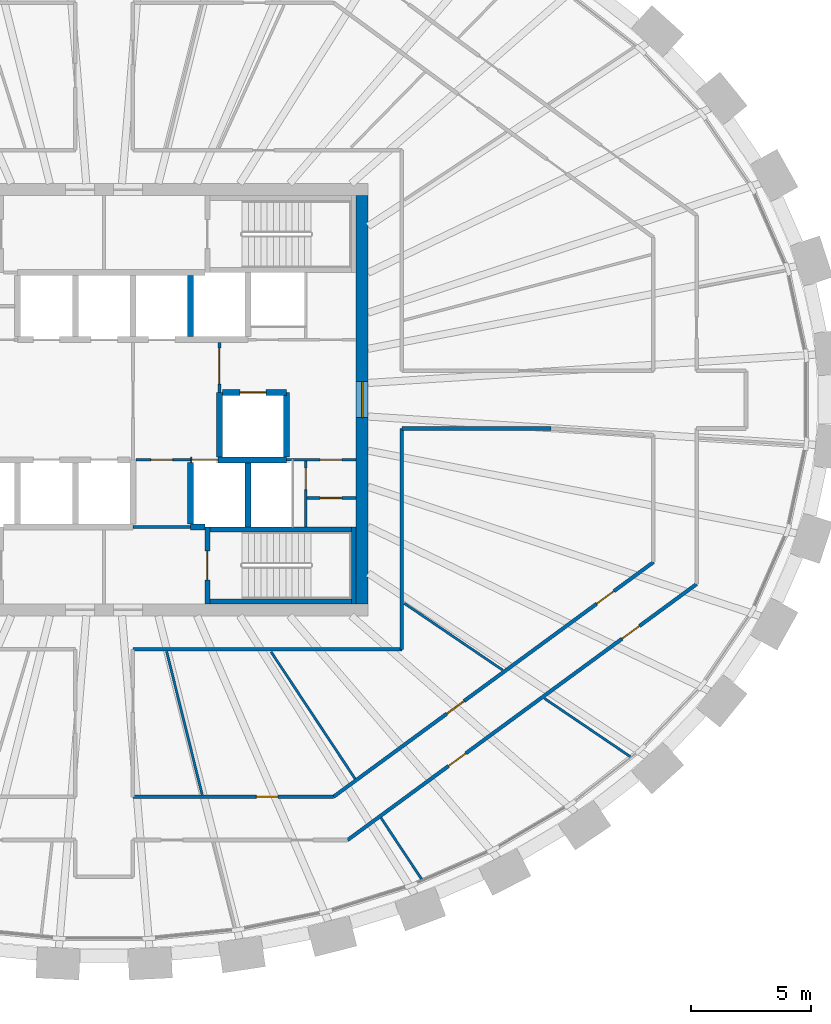
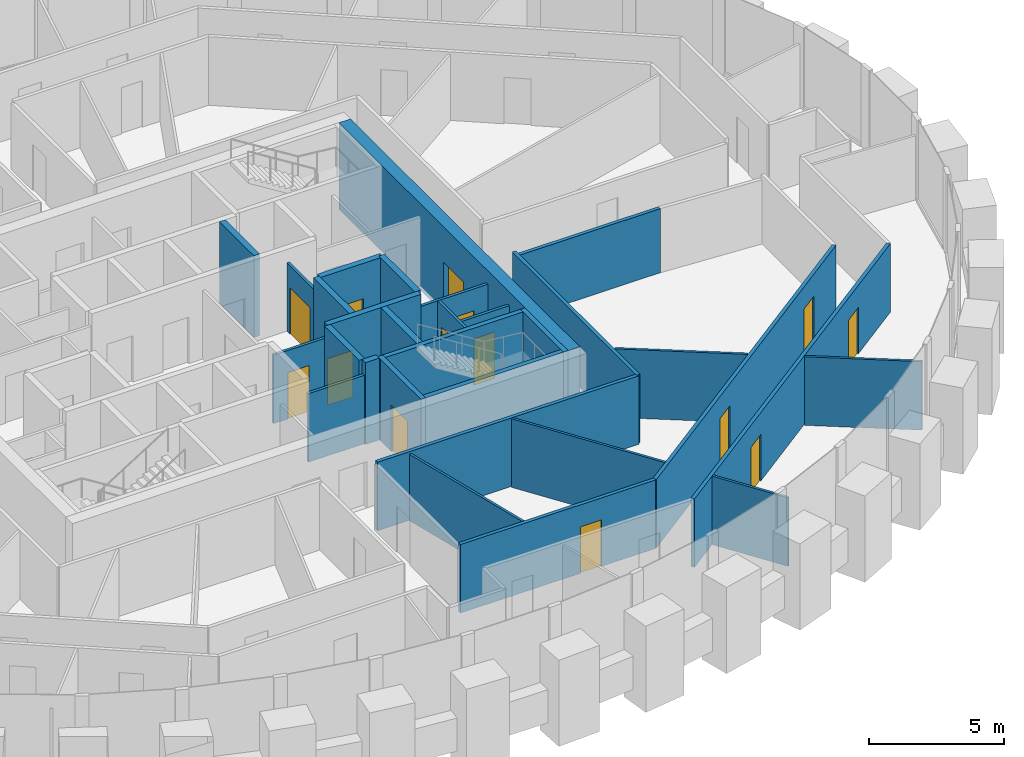
# One storey, part 8 of 11: 30 walls, 14 doors, 14 openings.
"""IFC4 building model written with IfcOpenShell, lengths in metres."""

import ifcopenshell
import ifcopenshell.guid

model = None  # the IFC model being written
_history = None  # IfcOwnerHistory: only IFC2X3 demands one
_inside = {}  # id of a spatial element -> (the spatial element, [elements in it])
_under = {}  # id of a project, library or spatial element -> (it, [spatial elements below it])
_declared = {}  # id of a project -> (the project, [libraries it declares])
_typed = {}  # id of a type object -> (the type object, [elements of that type])
_made_of = {}  # id of a material, layer set ... -> (it, [elements and type objects made of it])


def new_model(schema):
    """Start an empty IFC model of exactly this schema.

    Asked for "IFC4X3", IfcOpenShell would pick the latest addendum, in which some entities
    have other attributes; the version numbers below select the first issue.
    IFC2X3 requires an IfcOwnerHistory on every rooted entity: one is made here for all.
    """
    global model, _history
    if schema == "IFC4X3":
        model = ifcopenshell.file(schema_version=(4, 3, 0, 0))
    else:
        model = ifcopenshell.file(schema=schema)
    _inside.clear()
    _under.clear()
    _declared.clear()
    _typed.clear()
    _made_of.clear()
    _history = None
    if model.schema == "IFC2X3":
        org = make("IfcOrganization", Name="unknown")
        user = make(
            "IfcPersonAndOrganization",
            ThePerson=make("IfcPerson", FamilyName="unknown"),
            TheOrganization=org,
        )
        app = make(
            "IfcApplication",
            ApplicationDeveloper=org,
            Version="unknown",
            ApplicationFullName="unknown",
            ApplicationIdentifier="unknown",
        )
        _history = make(
            "IfcOwnerHistory",
            OwningUser=user,
            OwningApplication=app,
            ChangeAction="ADDED",
            CreationDate=0,
        )
    return model


def make(cls, **values):
    """One entity of the class cls with the attributes given. An attribute that is None is left unset."""
    return model.create_entity(
        cls, **{name: value for name, value in values.items() if value is not None}
    )


def rooted(cls, **values):
    """An entity with a GlobalId (a new one), such as an element, a storey or a relation."""
    return make(cls, GlobalId=ifcopenshell.guid.new(), OwnerHistory=_history, **values)


def si_unit(unit_type, name, prefix=None):
    """IfcSIUnit, for example si_unit("LENGTHUNIT", "METRE", prefix="MILLI")."""
    return make("IfcSIUnit", UnitType=unit_type, Prefix=prefix, Name=name)


def assignment(units):
    """IfcUnitAssignment: the units of a project."""
    return None if units is None else make("IfcUnitAssignment", Units=units)


def point(xyz):
    """IfcCartesianPoint."""
    return None if xyz is None else make("IfcCartesianPoint", Coordinates=xyz)


def direction(xyz):
    """IfcDirection."""
    return None if xyz is None else make("IfcDirection", DirectionRatios=xyz)


def frame(location, z_axis=None, x_axis=None):
    """IfcAxis2Placement3D, a coordinate frame: its origin and axes. An axis left out is left unset."""
    return make(
        "IfcAxis2Placement3D",
        Location=point(location),
        Axis=direction(z_axis),
        RefDirection=direction(x_axis),
    )


def frame_2d(location, x_axis=None):
    """IfcAxis2Placement2D, a coordinate frame in the plane: its origin and x axis."""
    return make(
        "IfcAxis2Placement2D", Location=point(location), RefDirection=direction(x_axis)
    )


def origin():
    """The frame at (0, 0, 0) with its axes left unset."""
    return frame((0.0, 0.0, 0.0))


def place(relative_to, where):
    """IfcLocalPlacement: puts the frame where relative to a parent placement (None: the world)."""
    return make(
        "IfcLocalPlacement", PlacementRelTo=relative_to, RelativePlacement=where
    )


def context(
    kind, dimensions, precision=None, world=None, true_north=None, identifier=None
):
    """IfcGeometricRepresentationContext, for example the 3D "Model" context."""
    return make(
        "IfcGeometricRepresentationContext",
        ContextIdentifier=identifier,
        ContextType=kind,
        CoordinateSpaceDimension=dimensions,
        Precision=precision,
        WorldCoordinateSystem=world,
        TrueNorth=true_north,
    )


def subcontext(parent, identifier, kind, view, scale=None):
    """IfcGeometricRepresentationSubContext, for example "Body" below "Model"."""
    return make(
        "IfcGeometricRepresentationSubContext",
        ContextIdentifier=identifier,
        ContextType=kind,
        ParentContext=parent,
        TargetScale=scale,
        TargetView=view,
    )


def project(units=None, contexts=None):
    """IfcProject with its units and contexts."""
    return rooted(
        "IfcProject",
        Name="project",
        RepresentationContexts=contexts,
        UnitsInContext=assignment(units),
    )


def spatial(cls, under=None, at=None, **own):
    """A site, building, storey or space (cls), placed at a placement, below another one or the project."""
    s = rooted(cls, ObjectPlacement=at, **own)
    if under is not None:
        _under.setdefault(under.id(), (under, []))[1].append(s)
    return s


def profile(cls, at=None, kind="AREA", **sizes):
    """A parametric profile (cls). Its sizes go by their IFC names, for example OverallWidth=200.0."""
    return make(cls, ProfileType=kind, Position=at, **sizes)


def rectangle(**sizes):
    """IfcRectangleProfileDef."""
    return profile("IfcRectangleProfileDef", **sizes)


def extrude(swept, where, along, depth):
    """IfcExtrudedAreaSolid: the profile swept, set in the frame where, extruded along a direction by depth."""
    return make(
        "IfcExtrudedAreaSolid",
        SweptArea=swept,
        Position=where,
        ExtrudedDirection=direction(along),
        Depth=depth,
    )


def shape(context_of_items, identifier, shape_type, items):
    """IfcShapeRepresentation: the items that make up one representation, for example the "Body"."""
    return make(
        "IfcShapeRepresentation",
        ContextOfItems=context_of_items,
        RepresentationIdentifier=identifier,
        RepresentationType=shape_type,
        Items=items,
    )


def source(mapping_origin, context_of_items, identifier, shape_type, items):
    """IfcRepresentationMap: a shape defined once, which mapped items show again and again."""
    return make(
        "IfcRepresentationMap",
        MappingOrigin=mapping_origin,
        MappedRepresentation=shape(context_of_items, identifier, shape_type, items),
    )


def transform(
    local_origin,
    x_axis=None,
    y_axis=None,
    z_axis=None,
    scale=None,
    scale2=None,
    scale3=None,
    uniform=True,
):
    """IfcCartesianTransformationOperator3D, or its non-uniform kind. x_axis, y_axis, z_axis: its Axis1, 2, 3."""
    if uniform:
        return make(
            "IfcCartesianTransformationOperator3D",
            Axis1=direction(x_axis),
            Axis2=direction(y_axis),
            LocalOrigin=point(local_origin),
            Scale=scale,
            Axis3=direction(z_axis),
        )
    return make(
        "IfcCartesianTransformationOperator3DnonUniform",
        Axis1=direction(x_axis),
        Axis2=direction(y_axis),
        LocalOrigin=point(local_origin),
        Scale=scale,
        Axis3=direction(z_axis),
        Scale2=scale2,
        Scale3=scale3,
    )


def mapped(mapping_source, mapping_target):
    """IfcMappedItem: shows the shape of a source again, moved by a transform."""
    return make(
        "IfcMappedItem", MappingSource=mapping_source, MappingTarget=mapping_target
    )


def material(Name=None, Category=None):
    """IfcMaterial."""
    return make("IfcMaterial", Name=Name, Category=Category)


def layer(
    of_material, thickness, ventilated=None, Name=None, Category=None, Priority=None
):
    """IfcMaterialLayer: one layer of a wall or slab, of a material (None: an air gap)."""
    return make(
        "IfcMaterialLayer",
        Material=of_material,
        LayerThickness=thickness,
        IsVentilated=ventilated,
        Name=Name,
        Category=Category,
        Priority=Priority,
    )


def layer_set(layers, Name=None):
    """IfcMaterialLayerSet."""
    return make("IfcMaterialLayerSet", MaterialLayers=layers, LayerSetName=Name)


def made_of(thing, what):
    """Note that an element or type object is made of a material, layer set ...; save() writes the relation."""
    if what is not None:
        _made_of.setdefault(what.id(), (what, []))[1].append(thing)
    return thing


def type_object(cls, material=None, **own):
    """A type object (cls), such as IfcWallType, which elements share."""
    return made_of(rooted(cls, **own), material)


def element(
    cls,
    number,
    at=None,
    inside=None,
    cuts=None,
    type_object=None,
    material=None,
    context=None,
    identifier="Body",
    shape_type=None,
    held_by="IfcProductDefinitionShape",
    body=None,
    shapes=None,
    **own,
):
    """One element of the class cls, such as IfcWall. Its Tag is "e" and its number.

    at: its placement. inside: the storey or other place that contains it. cuts: it is an
    opening in that element (IfcRelVoidsElement). A single representation is given by context,
    identifier, shape_type and body (its items); several are given by shapes. held_by: the class
    of the entity that holds the representations. save() writes the other relations.
    """
    e = rooted(cls, Tag="e%d" % number, ObjectPlacement=at, **own)
    if body is not None:
        shapes = [shape(context, identifier, shape_type, body)]
    if shapes is not None:
        e.Representation = make(held_by, Representations=shapes)
    if inside is not None:
        _inside.setdefault(inside.id(), (inside, []))[1].append(e)
    if cuts is not None:
        rooted(
            "IfcRelVoidsElement", RelatingBuildingElement=cuts, RelatedOpeningElement=e
        )
    if type_object is not None:
        _typed.setdefault(type_object.id(), (type_object, []))[1].append(e)
    return made_of(e, material)


def fill(opening, filler):
    """IfcRelFillsElement: the door or window that sits in an opening."""
    return rooted(
        "IfcRelFillsElement",
        RelatingOpeningElement=opening,
        RelatedBuildingElement=filler,
    )


def aggregate(whole, parts):
    """IfcRelAggregates: a whole, such as a stair, and the parts it consists of."""
    return rooted("IfcRelAggregates", RelatingObject=whole, RelatedObjects=parts)


def save(model, path):
    """Write the relations noted so far, then the file.

    IfcRelAggregates (storeys below a building ...), IfcRelContainedInSpatialStructure (elements
    in a storey), IfcRelDefinesByType, IfcRelAssociatesMaterial and IfcRelDeclares: one each for
    every whole, place, type object, material and project.
    """
    for whole, parts in _under.values():
        aggregate(whole, parts)
    for where, things in _inside.values():
        rooted(
            "IfcRelContainedInSpatialStructure",
            RelatedElements=things,
            RelatingStructure=where,
        )
    for kind, things in _typed.values():
        rooted("IfcRelDefinesByType", RelatedObjects=things, RelatingType=kind)
    for what, things in _made_of.values():
        rooted("IfcRelAssociatesMaterial", RelatedObjects=things, RelatingMaterial=what)
    for by, libraries in _declared.values():
        rooted("IfcRelDeclares", RelatingContext=by, RelatedDefinitions=libraries)
    model.write(path)


model = new_model("IFC4")

# Units and contexts
model_context = context("Model", 3, precision=1e-05, world=origin(), true_north=direction((0.0, 1.0)))
body_context = subcontext(model_context, "Body", "Model", "MODEL_VIEW")
ifc_project = project(units=[si_unit("LENGTHUNIT", "METRE"), si_unit("AREAUNIT", "SQUARE_METRE"), si_unit("VOLUMEUNIT", "CUBIC_METRE"), si_unit("PLANEANGLEUNIT", "RADIAN"), si_unit("MASSUNIT", "GRAM", prefix="KILO")], contexts=[model_context])

# Site, building, storey
site_placement = place(None, origin())
site = spatial("IfcSite", under=ifc_project, at=site_placement, CompositionType="ELEMENT")
building_placement = place(site_placement, origin())
building = spatial("IfcBuilding", under=site, at=building_placement, Name="Embergate Tower", CompositionType="ELEMENT")
storey_placement = place(building_placement, frame((0.0, 0.0, 305.199951171875)))
storey = spatial("IfcBuildingStorey", under=building, at=storey_placement, Name="L71", CompositionType="ELEMENT", Elevation=305.199951171875)

# Wall, opening, door
ifc_material_1 = material(Name="Concrete C50", Category="concrete")
ifc_layer_1 = layer(ifc_material_1, 0.5)
ifc_layer_set_1 = layer_set([ifc_layer_1], Name="Concrete C50")
wall_type_1 = type_object("IfcWallType", Name="Core outer wall C50 500", PredefinedType="SHEAR", material=ifc_layer_set_1)
shared_shape_1 = source(origin(), body_context, "Body", "SweptSolid", [
    extrude(rectangle(XDim=17.0, YDim=0.5, at=frame_2d((8.5, 0.0))), origin(), (0.0, 0.0, 1.0), 3.89990234375),
])
wall_1_placement = place(storey_placement, frame((10.75, -8.5, -0.199951171875), z_axis=(0.0, 0.0, 1.0), x_axis=(0.0, 1.0, 0.0)))
wall_1 = element("IfcWall", 1, at=wall_1_placement, inside=storey, type_object=wall_type_1, Name="CW-L71-E", PredefinedType="SHEAR", context=body_context, shape_type="MappedRepresentation", body=[
    mapped(shared_shape_1, transform((0.0, 0.0, 0.0))),
])
shared_shape_2 = source(origin(), body_context, "Body", "SweptSolid", [
    extrude(rectangle(XDim=1.5, YDim=2.10009765625, at=frame_2d((0.75, 1.050048828125))), frame((0.0, 0.260009765625, 0.0), z_axis=(0.0, -1.0, 0.0), x_axis=(1.0, 0.0, 0.0)), (0.0, 0.0, 1.0), 0.52001953125),
])
opening_1_placement = place(wall_1_placement, frame((7.75, 0.0, 0.199951171875)))
opening_1 = element("IfcOpeningElement", 2, at=opening_1_placement, cuts=wall_1, Name="Opening IF-3", PredefinedType="OPENING", context=body_context, shape_type="MappedRepresentation", body=[
    mapped(shared_shape_2, transform((0.0, 0.0, 0.0))),
])
ifc_material_2 = material(Name="Lobby fire door pair 1500")
door_type_1 = type_object("IfcDoorType", Name="Lobby fire door pair 1500", OperationType="DOUBLE_DOOR_SINGLE_SWING", PredefinedType="DOOR", material=ifc_material_2)
shared_shape_3 = source(origin(), body_context, "Body", "SweptSolid", [
    extrude(rectangle(XDim=1.5, YDim=2.10009765625, at=frame_2d((0.75, 1.050048828125))), frame((0.0, 0.02490234375, 0.0), z_axis=(0.0, -1.0, 0.0), x_axis=(1.0, 0.0, 0.0)), (0.0, 0.0, 1.0), 0.050048828125),
])
door_1_placement = place(opening_1_placement, origin())
door_1 = element("IfcDoor", 3, at=door_1_placement, inside=storey, type_object=door_type_1, Name="IF-3 door", OperationType="DOUBLE_DOOR_SINGLE_SWING", OverallHeight=2.10009765625, OverallWidth=1.5, PredefinedType="DOOR", context=body_context, shape_type="MappedRepresentation", body=[
    mapped(shared_shape_3, transform((0.0, 0.0, 0.0))),
])
fill(opening_1, door_1)

# Walls
ifc_layer_2 = layer(ifc_material_1, 0.25)
ifc_layer_set_2 = layer_set([ifc_layer_2], Name="Concrete C50")
wall_type_2 = type_object("IfcWallType", Name="Hoistway wall reinforced concrete 250", PredefinedType="SHEAR", material=ifc_layer_set_2)
shared_shape_4 = source(origin(), body_context, "Body", "SweptSolid", [
    extrude(rectangle(XDim=2.675048828125, YDim=0.25, at=frame_2d((1.33740234375, 0.0))), origin(), (0.0, 0.0, 1.0), 3.699951171875),
])
for number, where, z_axis, x_axis, name in (
    (4, (6.0, -5.300048828125, 0.0), (0.0, 0.0, 1.0), (0.0, 1.0, 0.0), "HW-1 wall"),
    (5, (4.800048828125, -2.375, 0.0), (0.0, 0.0, 1.0), (0.0, 1.0, 0.0), "HW-1 wall"),
):
    element("IfcWall", number, at=place(storey_placement, frame(where, z_axis=z_axis, x_axis=x_axis)), inside=storey, type_object=wall_type_2, Name=name, PredefinedType="SHEAR", context=body_context, shape_type="MappedRepresentation", body=[
        mapped(shared_shape_4, transform((0.0, 0.0, 0.0))),
    ])

# Wall, opening, door
wall_2_placement = place(storey_placement, frame((7.60009765625, 0.300048828125, 0.0), z_axis=(0.0, 0.0, 1.0), x_axis=(-1.0, 0.0, 0.0)))
wall_2 = element("IfcWall", 6, at=wall_2_placement, inside=storey, type_object=wall_type_2, Name="HW-1 wall", PredefinedType="SHEAR", context=body_context, shape_type="MappedRepresentation", body=[
    mapped(shared_shape_4, transform((0.0, 0.0, 0.0))),
])
shared_shape_5 = source(origin(), body_context, "Body", "SweptSolid", [
    extrude(rectangle(XDim=1.10009765625, YDim=2.10009765625, at=frame_2d((0.550048828125, 1.050048828125))), frame((0.0, 0.135009765625, 0.0), z_axis=(0.0, -1.0, 0.0), x_axis=(1.0, 0.0, 0.0)), (0.0, 0.0, 1.0), 0.27001953125),
])
opening_2_placement = place(wall_2_placement, frame((0.85009765625, 0.0, 0.0)))
opening_2 = element("IfcOpeningElement", 7, at=opening_2_placement, cuts=wall_2, Name="Opening LD", PredefinedType="OPENING", context=body_context, shape_type="MappedRepresentation", body=[
    mapped(shared_shape_5, transform((0.0, 0.0, 0.0))),
])
ifc_material_3 = material(Name="Landing door sliding 1100")
door_type_2 = type_object("IfcDoorType", Name="Landing door sliding 1100", OperationType="SLIDING_TO_LEFT", PredefinedType="DOOR", material=ifc_material_3)
shared_shape_6 = source(origin(), body_context, "Body", "SweptSolid", [
    extrude(rectangle(XDim=1.10009765625, YDim=2.10009765625, at=frame_2d((0.550048828125, 1.050048828125))), frame((0.0, 0.02490234375, 0.0), z_axis=(0.0, -1.0, 0.0), x_axis=(1.0, 0.0, 0.0)), (0.0, 0.0, 1.0), 0.050048828125),
])
door_2_placement = place(opening_2_placement, origin())
door_2 = element("IfcDoor", 8, at=door_2_placement, inside=storey, type_object=door_type_2, Name="LD door", OperationType="SLIDING_TO_LEFT", OverallHeight=2.10009765625, OverallWidth=1.10009765625, PredefinedType="DOOR", context=body_context, shape_type="MappedRepresentation", body=[
    mapped(shared_shape_6, transform((0.0, 0.0, 0.0))),
])
fill(opening_2, door_2)

# Walls
wall_3_placement = place(storey_placement, frame((7.60009765625, -2.375, 0.0), z_axis=(0.0, 0.0, 1.0), x_axis=(0.0, 1.0, 0.0)))
element("IfcWall", 9, at=wall_3_placement, inside=storey, type_object=wall_type_2, Name="HW-1 wall", PredefinedType="SHEAR", context=body_context, shape_type="MappedRepresentation", body=[
    mapped(shared_shape_4, transform((0.0, 0.0, 0.0))),
])
ifc_layer_3 = layer(ifc_material_1, 0.199951171875)
ifc_layer_set_3 = layer_set([ifc_layer_3], Name="Concrete C50")
wall_type_3 = type_object("IfcWallType", Name="Stair enclosure wall reinforced concrete 250", PredefinedType="SHEAR", material=ifc_layer_set_3)
shared_shape_7 = source(origin(), body_context, "Body", "SweptSolid", [
    extrude(rectangle(XDim=6.300048828125, YDim=0.199951171875, at=frame_2d((3.14990234375, 0.0))), origin(), (0.0, 0.0, 1.0), 3.699951171875),
])
wall_4_placement = place(storey_placement, frame((4.199951171875, -5.39990234375, 0.0), z_axis=(0.0, 0.0, 1.0), x_axis=(1.0, 0.0, 0.0)))
element("IfcWall", 10, at=wall_4_placement, inside=storey, type_object=wall_type_3, Name="SE-1 wall", PredefinedType="SHEAR", context=body_context, shape_type="MappedRepresentation", body=[
    mapped(shared_shape_7, transform((0.0, 0.0, 0.0))),
])

# Wall, opening, door
ifc_material_4 = material(Name="Core partition blockwork 120")
ifc_layer_4 = layer(ifc_material_4, 0.1201171875)
ifc_layer_set_4 = layer_set([ifc_layer_4], Name="Core partition blockwork 120")
wall_type_4 = type_object("IfcWallType", Name="Core partition blockwork 120", PredefinedType="PARTITIONING", material=ifc_layer_set_4)
shared_shape_8 = source(origin(), body_context, "Body", "SweptSolid", [
    extrude(rectangle(XDim=2.739990234375, YDim=0.1201171875, at=frame_2d((1.3701171875, 0.0))), origin(), (0.0, 0.0, 1.0), 3.10009765625),
])
wall_5_placement = place(storey_placement, frame((8.39990234375, -5.300048828125, 0.0), z_axis=(0.0, 0.0, 1.0), x_axis=(0.0, 1.0, 0.0)))
wall_5 = element("IfcWall", 11, at=wall_5_placement, inside=storey, type_object=wall_type_4, Name="IP-3 wall", PredefinedType="PARTITIONING", context=body_context, shape_type="MappedRepresentation", body=[
    mapped(shared_shape_8, transform((0.0, 0.0, 0.0))),
])
shared_shape_9 = source(origin(), body_context, "Body", "SweptSolid", [
    extrude(rectangle(XDim=0.89990234375, YDim=2.10009765625, at=frame_2d((0.449951171875, 1.050048828125))), frame((0.0, 0.070068359375, 0.0), z_axis=(0.0, -1.0, 0.0), x_axis=(1.0, 0.0, 0.0)), (0.0, 0.0, 1.0), 0.14013671875),
])
opening_3_placement = place(wall_5_placement, frame((1.552001953125, 0.0, 0.0)))
opening_3 = element("IfcOpeningElement", 12, at=opening_3_placement, cuts=wall_5, Name="Opening ID-1", PredefinedType="OPENING", context=body_context, shape_type="MappedRepresentation", body=[
    mapped(shared_shape_9, transform((0.0, 0.0, 0.0))),
])
ifc_material_5 = material(Name="Interior door 900")
door_type_3 = type_object("IfcDoorType", Name="Interior door 900", OperationType="SINGLE_SWING_LEFT", PredefinedType="DOOR", material=ifc_material_5)
shared_shape_10 = source(origin(), body_context, "Body", "SweptSolid", [
    extrude(rectangle(XDim=0.89990234375, YDim=2.10009765625, at=frame_2d((0.449951171875, 1.050048828125))), frame((0.0, 0.02490234375, 0.0), z_axis=(0.0, -1.0, 0.0), x_axis=(1.0, 0.0, 0.0)), (0.0, 0.0, 1.0), 0.050048828125),
])
door_3_placement = place(opening_3_placement, origin())
door_3 = element("IfcDoor", 13, at=door_3_placement, inside=storey, type_object=door_type_3, Name="ID-1 door", OperationType="SINGLE_SWING_LEFT", OverallHeight=2.10009765625, OverallWidth=0.89990234375, PredefinedType="DOOR", context=body_context, shape_type="MappedRepresentation", body=[
    mapped(shared_shape_10, transform((0.0, 0.0, 0.0))),
])
fill(opening_3, door_3)

# Walls
shared_shape_11 = source(origin(), body_context, "Body", "SweptSolid", [
    extrude(rectangle(XDim=2.550048828125, YDim=0.25, at=frame_2d((1.27490234375, 0.0))), origin(), (0.0, 0.0, 1.0), 3.699951171875),
])
for number, where, z_axis, x_axis, name in (
    (14, (3.60009765625, 2.625, 0.0), (0.0, 0.0, 1.0), (0.0, 1.0, 0.0), "HW-1 wall"),
    (15, (3.60009765625, -2.625, 0.0), (0.0, 0.0, 1.0), (0.0, -1.0, 0.0), "HW-1 wall"),
):
    element("IfcWall", number, at=place(storey_placement, frame(where, z_axis=z_axis, x_axis=x_axis)), inside=storey, type_object=wall_type_2, Name=name, PredefinedType="SHEAR", context=body_context, shape_type="MappedRepresentation", body=[
        mapped(shared_shape_11, transform((0.0, 0.0, 0.0))),
    ])

# Wall, opening, door
shared_shape_12 = source(origin(), body_context, "Body", "SweptSolid", [
    extrude(rectangle(XDim=2.074951171875, YDim=0.1201171875, at=frame_2d((1.03759765625, 0.0))), origin(), (0.0, 0.0, 1.0), 3.10009765625),
])
wall_6_placement = place(storey_placement, frame((4.800048828125, 0.300048828125, 0.0), z_axis=(0.0, 0.0, 1.0), x_axis=(0.0, 1.0, 0.0)))
wall_6 = element("IfcWall", 16, at=wall_6_placement, inside=storey, type_object=wall_type_4, Name="IP-3 wall", PredefinedType="PARTITIONING", context=body_context, shape_type="MappedRepresentation", body=[
    mapped(shared_shape_12, transform((0.0, 0.0, 0.0))),
])
shared_shape_13 = source(origin(), body_context, "Body", "SweptSolid", [
    extrude(rectangle(XDim=1.5, YDim=2.10009765625, at=frame_2d((0.75, 1.050048828125))), frame((0.0, 0.070068359375, 0.0), z_axis=(0.0, -1.0, 0.0), x_axis=(1.0, 0.0, 0.0)), (0.0, 0.0, 1.0), 0.14013671875),
])
opening_4_placement = place(wall_6_placement, frame((0.35009765625, 0.0, 0.0)))
opening_4 = element("IfcOpeningElement", 17, at=opening_4_placement, cuts=wall_6, Name="Opening IF-3", PredefinedType="OPENING", context=body_context, shape_type="MappedRepresentation", body=[
    mapped(shared_shape_13, transform((0.0, 0.0, 0.0))),
])
door_4_placement = place(opening_4_placement, origin())
door_4 = element("IfcDoor", 18, at=door_4_placement, inside=storey, type_object=door_type_1, Name="IF-3 door", OperationType="DOUBLE_DOOR_SINGLE_SWING", OverallHeight=2.10009765625, OverallWidth=1.5, PredefinedType="DOOR", context=body_context, shape_type="MappedRepresentation", body=[
    mapped(shared_shape_3, transform((0.0, 0.0, 0.0))),
])
fill(opening_4, door_4)

shared_shape_14 = source(origin(), body_context, "Body", "SweptSolid", [
    extrude(rectangle(XDim=3.199951171875, YDim=0.199951171875, at=frame_2d((1.60009765625, 0.0))), origin(), (0.0, 0.0, 1.0), 3.699951171875),
])
wall_7_placement = place(storey_placement, frame((4.300048828125, -5.300048828125, 0.0), z_axis=(0.0, 0.0, 1.0), x_axis=(0.0, -1.0, 0.0)))
wall_7 = element("IfcWall", 19, at=wall_7_placement, inside=storey, type_object=wall_type_3, Name="SE-1 wall", PredefinedType="SHEAR", context=body_context, shape_type="MappedRepresentation", body=[
    mapped(shared_shape_14, transform((0.0, 0.0, 0.0))),
])
shared_shape_15 = source(origin(), body_context, "Body", "SweptSolid", [
    extrude(rectangle(XDim=1.199951171875, YDim=2.10009765625, at=frame_2d((0.60009765625, 1.050048828125))), frame((0.0, 0.10986328125, 0.0), z_axis=(0.0, -1.0, 0.0), x_axis=(1.0, 0.0, 0.0)), (0.0, 0.0, 1.0), 0.219970703125),
])
opening_5_placement = place(wall_7_placement, frame((1.0, 0.0, 0.0)))
opening_5 = element("IfcOpeningElement", 20, at=opening_5_placement, cuts=wall_7, Name="Opening IF-2", PredefinedType="OPENING", context=body_context, shape_type="MappedRepresentation", body=[
    mapped(shared_shape_15, transform((0.0, 0.0, 0.0))),
])
ifc_material_6 = material(Name="Stair enclosure door 1200")
door_type_4 = type_object("IfcDoorType", Name="Stair enclosure door 1200", OperationType="SINGLE_SWING_LEFT", PredefinedType="DOOR", material=ifc_material_6)
shared_shape_16 = source(origin(), body_context, "Body", "SweptSolid", [
    extrude(rectangle(XDim=1.199951171875, YDim=2.10009765625, at=frame_2d((0.60009765625, 1.050048828125))), frame((0.0, 0.02490234375, 0.0), z_axis=(0.0, -1.0, 0.0), x_axis=(1.0, 0.0, 0.0)), (0.0, 0.0, 1.0), 0.050048828125),
])
door_5_placement = place(opening_5_placement, origin())
door_5 = element("IfcDoor", 21, at=door_5_placement, inside=storey, type_object=door_type_4, Name="IF-2 door", OperationType="SINGLE_SWING_LEFT", OverallHeight=2.10009765625, OverallWidth=1.199951171875, PredefinedType="DOOR", context=body_context, shape_type="MappedRepresentation", body=[
    mapped(shared_shape_16, transform((0.0, 0.0, 0.0))),
])
fill(opening_5, door_5)

# Wall
shared_shape_17 = source(origin(), body_context, "Body", "SweptSolid", [
    extrude(rectangle(XDim=0.599853515625, YDim=0.25, at=frame_2d((0.2998046875, 0.0))), origin(), (0.0, 0.0, 1.0), 3.699951171875),
])
wall_8_placement = place(storey_placement, frame((3.60009765625, -5.300048828125, 0.0), z_axis=(0.0, 0.0, 1.0), x_axis=(1.0, 0.0, 0.0)))
element("IfcWall", 22, at=wall_8_placement, inside=storey, type_object=wall_type_2, Name="HW-1 wall", PredefinedType="SHEAR", context=body_context, shape_type="MappedRepresentation", body=[
    mapped(shared_shape_17, transform((0.0, 0.0, 0.0))),
])

# Wall, opening, door
shared_shape_18 = source(origin(), body_context, "Body", "SweptSolid", [
    extrude(rectangle(XDim=4.0, YDim=0.25, at=frame_2d((2.0, 0.0))), origin(), (0.0, 0.0, 1.0), 3.699951171875),
])
wall_9_placement = place(storey_placement, frame((7.60009765625, -2.5, 0.0), z_axis=(0.0, 0.0, 1.0), x_axis=(-1.0, 0.0, 0.0)))
wall_9 = element("IfcWall", 23, at=wall_9_placement, inside=storey, type_object=wall_type_2, Name="HW-1 wall", PredefinedType="SHEAR", context=body_context, shape_type="MappedRepresentation", body=[
    mapped(shared_shape_18, transform((0.0, 0.0, 0.0))),
])
opening_6_placement = place(wall_9_placement, frame((2.85009765625, 0.0, 0.0)))
opening_6 = element("IfcOpeningElement", 24, at=opening_6_placement, cuts=wall_9, Name="Opening LD", PredefinedType="OPENING", context=body_context, shape_type="MappedRepresentation", body=[
    mapped(shared_shape_5, transform((0.0, 0.0, 0.0))),
])
door_6_placement = place(opening_6_placement, origin())
door_6 = element("IfcDoor", 25, at=door_6_placement, inside=storey, type_object=door_type_2, Name="LD door", OperationType="SLIDING_TO_RIGHT", OverallHeight=2.10009765625, OverallWidth=1.10009765625, PredefinedType="DOOR", context=body_context, shape_type="MappedRepresentation", body=[
    mapped(shared_shape_6, transform((0.0, 0.0, 0.0))),
])
fill(opening_6, door_6)

# Walls
shared_shape_19 = source(origin(), body_context, "Body", "SweptSolid", [
    extrude(rectangle(XDim=6.298095703125, YDim=0.199951171875, at=frame_2d((3.14892578125, 0.0))), origin(), (0.0, 0.0, 1.0), 3.699951171875),
])
wall_10_placement = place(storey_placement, frame((4.201904296875, -8.39990234375, 0.0), z_axis=(0.0, 0.0, 1.0), x_axis=(1.0, 0.0, 0.0)))
element("IfcWall", 26, at=wall_10_placement, inside=storey, type_object=wall_type_3, Name="SE-1 wall", PredefinedType="SHEAR", context=body_context, shape_type="MappedRepresentation", body=[
    mapped(shared_shape_19, transform((0.0, 0.0, 0.0))),
])
shared_shape_20 = source(origin(), body_context, "Body", "SweptSolid", [
    extrude(rectangle(XDim=3.197998046875, YDim=0.199951171875, at=frame_2d((1.59912109375, 0.0))), origin(), (0.0, 0.0, 1.0), 3.699951171875),
])
wall_11_placement = place(storey_placement, frame((10.39990234375, -8.5, 0.0), z_axis=(0.0, 0.0, 1.0), x_axis=(0.0, 1.0, 0.0)))
element("IfcWall", 27, at=wall_11_placement, inside=storey, type_object=wall_type_3, Name="SE-1 wall", PredefinedType="SHEAR", context=body_context, shape_type="MappedRepresentation", body=[
    mapped(shared_shape_20, transform((0.0, 0.0, 0.0))),
])
ifc_material_7 = material(Name="Corridor wall dry-lined 150 wet")
ifc_layer_5 = layer(ifc_material_7, 0.14990234375)
ifc_layer_set_5 = layer_set([ifc_layer_5], Name="Corridor wall dry-lined 150 wet")
wall_type_5 = type_object("IfcWallType", Name="Corridor wall dry-lined 150 wet", PredefinedType="PLUMBINGWALL", material=ifc_layer_set_5)
shared_shape_21 = source(origin(), body_context, "Body", "SweptSolid", [
    extrude(rectangle(XDim=9.199951171875, YDim=0.14990234375, at=frame_2d((4.60009765625, 0.0))), origin(), (0.0, 0.0, 1.0), 3.10009765625),
])
wall_12_placement = place(storey_placement, frame((12.39990234375, -10.39990234375, 0.0), z_axis=(0.0, 0.0, 1.0), x_axis=(0.0, 1.0, 0.0)))
element("IfcWall", 28, at=wall_12_placement, inside=storey, type_object=wall_type_5, Name="IP-2 wall", PredefinedType="PLUMBINGWALL", context=body_context, shape_type="MappedRepresentation", body=[
    mapped(shared_shape_21, transform((0.0, 0.0, 0.0))),
])
ifc_material_8 = material(Name="Corridor wall dry-lined 150")
ifc_layer_6 = layer(ifc_material_8, 0.14990234375)
ifc_layer_set_6 = layer_set([ifc_layer_6], Name="Corridor wall dry-lined 150")
wall_type_6 = type_object("IfcWallType", Name="Corridor wall dry-lined 150", PredefinedType="PARTITIONING", material=ifc_layer_set_6)
shared_shape_22 = source(origin(), body_context, "Body", "SweptSolid", [
    extrude(rectangle(XDim=11.199951171875, YDim=0.14990234375, at=frame_2d((5.60009765625, 0.0))), origin(), (0.0, 0.0, 1.0), 3.10009765625),
])
wall_13_placement = place(storey_placement, frame((12.39990234375, -10.39990234375, 0.0), z_axis=(0.0, 0.0, 1.0), x_axis=(-1.0, 0.0, 0.0)))
element("IfcWall", 29, at=wall_13_placement, inside=storey, type_object=wall_type_6, Name="IP-2 wall", PredefinedType="PARTITIONING", context=body_context, shape_type="MappedRepresentation", body=[
    mapped(shared_shape_22, transform((0.0, 0.0, 0.0))),
])

# Wall, opening, door
shared_shape_23 = source(origin(), body_context, "Body", "SweptSolid", [
    extrude(rectangle(XDim=2.89990234375, YDim=0.1201171875, at=frame_2d((1.449951171875, 0.0))), origin(), (0.0, 0.0, 1.0), 3.10009765625),
])
wall_14_placement = place(storey_placement, frame((10.5, -2.5, 0.0), z_axis=(0.0, 0.0, 1.0), x_axis=(-1.0, 0.0, 0.0)))
wall_14 = element("IfcWall", 30, at=wall_14_placement, inside=storey, type_object=wall_type_4, Name="IP-3 wall", PredefinedType="PARTITIONING", context=body_context, shape_type="MappedRepresentation", body=[
    mapped(shared_shape_23, transform((0.0, 0.0, 0.0))),
])
opening_7_placement = place(wall_14_placement, frame((0.60009765625, 0.0, 0.0)))
opening_7 = element("IfcOpeningElement", 31, at=opening_7_placement, cuts=wall_14, Name="Opening ID-1", PredefinedType="OPENING", context=body_context, shape_type="MappedRepresentation", body=[
    mapped(shared_shape_9, transform((0.0, 0.0, 0.0))),
])
door_7_placement = place(opening_7_placement, origin())
door_7 = element("IfcDoor", 32, at=door_7_placement, inside=storey, type_object=door_type_3, Name="ID-1 door", OperationType="SINGLE_SWING_LEFT", OverallHeight=2.10009765625, OverallWidth=0.89990234375, PredefinedType="DOOR", context=body_context, shape_type="MappedRepresentation", body=[
    mapped(shared_shape_10, transform((0.0, 0.0, 0.0))),
])
fill(opening_7, door_7)

# Wall
shared_shape_24 = source(origin(), body_context, "Body", "SweptSolid", [
    extrude(rectangle(XDim=2.400146484375, YDim=0.1201171875, at=frame_2d((1.2001953125, 0.0))), origin(), (0.0, 0.0, 1.0), 3.10009765625),
])
wall_15_placement = place(storey_placement, frame((3.60009765625, -5.300048828125, 0.0), z_axis=(0.0, 0.0, 1.0), x_axis=(-1.0, 0.0, 0.0)))
element("IfcWall", 33, at=wall_15_placement, inside=storey, type_object=wall_type_4, Name="IP-3 wall", PredefinedType="PARTITIONING", context=body_context, shape_type="MappedRepresentation", body=[
    mapped(shared_shape_24, transform((0.0, 0.0, 0.0))),
])

# Wall, opening, door
shared_shape_25 = source(origin(), body_context, "Body", "SweptSolid", [
    extrude(rectangle(XDim=2.0400390625, YDim=0.1201171875, at=frame_2d((1.02001953125, 0.0))), origin(), (0.0, 0.0, 1.0), 3.10009765625),
])
wall_16_placement = place(storey_placement, frame((10.5, -4.095947265625, 0.0), z_axis=(0.0, 0.0, 1.0), x_axis=(-1.0, 0.0, 0.0)))
wall_16 = element("IfcWall", 34, at=wall_16_placement, inside=storey, type_object=wall_type_4, Name="IP-3 wall", PredefinedType="PARTITIONING", context=body_context, shape_type="MappedRepresentation", body=[
    mapped(shared_shape_25, transform((0.0, 0.0, 0.0))),
])
opening_8_placement = place(wall_16_placement, frame((0.60009765625, 0.0, 0.0)))
opening_8 = element("IfcOpeningElement", 35, at=opening_8_placement, cuts=wall_16, Name="Opening ID-1", PredefinedType="OPENING", context=body_context, shape_type="MappedRepresentation", body=[
    mapped(shared_shape_9, transform((0.0, 0.0, 0.0))),
])
door_8_placement = place(opening_8_placement, origin())
door_8 = element("IfcDoor", 36, at=door_8_placement, inside=storey, type_object=door_type_3, Name="ID-1 door", OperationType="SINGLE_SWING_RIGHT", OverallHeight=2.10009765625, OverallWidth=0.89990234375, PredefinedType="DOOR", context=body_context, shape_type="MappedRepresentation", body=[
    mapped(shared_shape_10, transform((0.0, 0.0, 0.0))),
])
fill(opening_8, door_8)

shared_shape_26 = source(origin(), body_context, "Body", "SweptSolid", [
    extrude(rectangle(XDim=2.275146484375, YDim=0.1201171875, at=frame_2d((1.1376953125, 0.0))), origin(), (0.0, 0.0, 1.0), 3.10009765625),
])
wall_17_placement = place(storey_placement, frame((1.324951171875, -2.5, 0.0), z_axis=(0.0, 0.0, 1.0), x_axis=(1.0, 0.0, 0.0)))
wall_17 = element("IfcWall", 37, at=wall_17_placement, inside=storey, type_object=wall_type_4, Name="IP-3 wall", PredefinedType="PARTITIONING", context=body_context, shape_type="MappedRepresentation", body=[
    mapped(shared_shape_26, transform((0.0, 0.0, 0.0))),
])
opening_9_placement = place(wall_17_placement, frame((0.625, 0.0, 0.0)))
opening_9 = element("IfcOpeningElement", 38, at=opening_9_placement, cuts=wall_17, Name="Opening ID-1", PredefinedType="OPENING", context=body_context, shape_type="MappedRepresentation", body=[
    mapped(shared_shape_9, transform((0.0, 0.0, 0.0))),
])
door_9_placement = place(opening_9_placement, origin())
door_9 = element("IfcDoor", 39, at=door_9_placement, inside=storey, type_object=door_type_3, Name="ID-1 door", OperationType="SINGLE_SWING_RIGHT", OverallHeight=2.10009765625, OverallWidth=0.89990234375, PredefinedType="DOOR", context=body_context, shape_type="MappedRepresentation", body=[
    mapped(shared_shape_10, transform((0.0, 0.0, 0.0))),
])
fill(opening_9, door_9)

# Wall, openings, doors
shared_shape_27 = source(origin(), body_context, "Body", "SweptSolid", [
    extrude(rectangle(XDim=18.027099609375, YDim=0.14990234375, at=frame_2d((9.013671875, 0.0))), origin(), (0.0, 0.0, 1.0), 3.10009765625),
])
wall_18_placement = place(storey_placement, frame((24.681884765625, -7.679931640625, 0.0), z_axis=(0.0, 0.0, 1.0), x_axis=(-0.80638475932, -0.591391257914, 0.0)))
wall_18 = element("IfcWall", 40, at=wall_18_placement, inside=storey, type_object=wall_type_5, Name="IP-2 wall", PredefinedType="PLUMBINGWALL", context=body_context, shape_type="MappedRepresentation", body=[
    mapped(shared_shape_27, transform((0.0, 0.0, 0.0))),
])
shared_shape_28 = source(origin(), body_context, "Body", "SweptSolid", [
    extrude(rectangle(XDim=0.89990234375, YDim=2.10009765625, at=frame_2d((0.449951171875, 1.050048828125))), frame((0.0, 0.0849609375, 0.0), z_axis=(0.0, -1.0, 0.0), x_axis=(1.0, 0.0, 0.0)), (0.0, 0.0, 1.0), 0.169921875),
])
opening_10_placement = place(wall_18_placement, frame((11.916259765625, 0.0, 0.0)))
opening_10 = element("IfcOpeningElement", 41, at=opening_10_placement, cuts=wall_18, Name="Opening IF-1c", PredefinedType="OPENING", context=body_context, shape_type="MappedRepresentation", body=[
    mapped(shared_shape_28, transform((0.0, 0.0, 0.0))),
])
opening_11_placement = place(wall_18_placement, frame((2.95068359375, 0.0, 0.0)))
opening_11 = element("IfcOpeningElement", 42, at=opening_11_placement, cuts=wall_18, Name="Opening IF-1c", PredefinedType="OPENING", context=body_context, shape_type="MappedRepresentation", body=[
    mapped(shared_shape_28, transform((0.0, 0.0, 0.0))),
])
ifc_material_9 = material(Name="Escape fire door 900")
door_type_5 = type_object("IfcDoorType", Name="Escape fire door 900", OperationType="SINGLE_SWING_LEFT", PredefinedType="DOOR", material=ifc_material_9)
door_10_placement = place(opening_10_placement, origin())
door_10 = element("IfcDoor", 43, at=door_10_placement, inside=storey, type_object=door_type_5, Name="IF-1 door", OperationType="SINGLE_SWING_RIGHT", OverallHeight=2.10009765625, OverallWidth=0.89990234375, PredefinedType="DOOR", context=body_context, shape_type="MappedRepresentation", body=[
    mapped(shared_shape_10, transform((0.0, 0.0, 0.0))),
])
fill(opening_10, door_10)
door_11_placement = place(opening_11_placement, origin())
door_11 = element("IfcDoor", 44, at=door_11_placement, inside=storey, type_object=door_type_5, Name="IF-1 door", OperationType="SINGLE_SWING_RIGHT", OverallHeight=2.10009765625, OverallWidth=0.89990234375, PredefinedType="DOOR", context=body_context, shape_type="MappedRepresentation", body=[
    mapped(shared_shape_10, transform((0.0, 0.0, 0.0))),
])
fill(opening_11, door_11)

shared_shape_29 = source(origin(), body_context, "Body", "SweptSolid", [
    extrude(rectangle(XDim=16.525634765625, YDim=0.14990234375, at=frame_2d((8.2626953125, 0.0))), origin(), (0.0, 0.0, 1.0), 3.10009765625),
])
wall_19_placement = place(storey_placement, frame((22.882080078125, -6.76806640625, 0.0), z_axis=(0.0, 0.0, 1.0), x_axis=(-0.806392784122, -0.591380315631, 0.0)))
wall_19 = element("IfcWall", 45, at=wall_19_placement, inside=storey, type_object=wall_type_5, Name="IP-2 wall", PredefinedType="PLUMBINGWALL", context=body_context, shape_type="MappedRepresentation", body=[
    mapped(shared_shape_29, transform((0.0, 0.0, 0.0))),
])
opening_12_placement = place(wall_19_placement, frame((9.776611328125, 0.0, 0.0)))
opening_12 = element("IfcOpeningElement", 46, at=opening_12_placement, cuts=wall_19, Name="Opening IF-1c", PredefinedType="OPENING", context=body_context, shape_type="MappedRepresentation", body=[
    mapped(shared_shape_28, transform((0.0, 0.0, 0.0))),
])
opening_13_placement = place(wall_19_placement, frame((2.0341796875, 0.0, 0.0)))
opening_13 = element("IfcOpeningElement", 47, at=opening_13_placement, cuts=wall_19, Name="Opening IF-1c", PredefinedType="OPENING", context=body_context, shape_type="MappedRepresentation", body=[
    mapped(shared_shape_28, transform((0.0, 0.0, 0.0))),
])
door_12_placement = place(opening_12_placement, origin())
door_12 = element("IfcDoor", 48, at=door_12_placement, inside=storey, type_object=door_type_5, Name="IF-1 door", OperationType="SINGLE_SWING_LEFT", OverallHeight=2.10009765625, OverallWidth=0.89990234375, PredefinedType="DOOR", context=body_context, shape_type="MappedRepresentation", body=[
    mapped(shared_shape_10, transform((0.0, 0.0, 0.0))),
])
fill(opening_12, door_12)
door_13_placement = place(opening_13_placement, origin())
door_13 = element("IfcDoor", 49, at=door_13_placement, inside=storey, type_object=door_type_5, Name="IF-1 door", OperationType="SINGLE_SWING_LEFT", OverallHeight=2.10009765625, OverallWidth=0.89990234375, PredefinedType="DOOR", context=body_context, shape_type="MappedRepresentation", body=[
    mapped(shared_shape_10, transform((0.0, 0.0, 0.0))),
])
fill(opening_13, door_13)

# Wall, opening, door
shared_shape_30 = source(origin(), body_context, "Body", "SweptSolid", [
    extrude(rectangle(XDim=8.35595703125, YDim=0.14990234375, at=frame_2d((4.177978515625, 0.0))), origin(), (0.0, 0.0, 1.0), 3.10009765625),
])
wall_20_placement = place(storey_placement, frame((1.199951171875, -16.541015625, 0.0), z_axis=(0.0, 0.0, 1.0), x_axis=(1.0, 0.0, 0.0)))
wall_20 = element("IfcWall", 50, at=wall_20_placement, inside=storey, type_object=wall_type_6, Name="IP-2 wall", PredefinedType="PARTITIONING", context=body_context, shape_type="MappedRepresentation", body=[
    mapped(shared_shape_30, transform((0.0, 0.0, 0.0))),
])
opening_14_placement = place(wall_20_placement, frame((5.138916015625, 0.0, 0.0)))
opening_14 = element("IfcOpeningElement", 51, at=opening_14_placement, cuts=wall_20, Name="Opening IF-1c", PredefinedType="OPENING", context=body_context, shape_type="MappedRepresentation", body=[
    mapped(shared_shape_28, transform((0.0, 0.0, 0.0))),
])
door_14_placement = place(opening_14_placement, origin())
door_14 = element("IfcDoor", 52, at=door_14_placement, inside=storey, type_object=door_type_5, Name="IF-1 door", OperationType="SINGLE_SWING_RIGHT", OverallHeight=2.10009765625, OverallWidth=0.89990234375, PredefinedType="DOOR", context=body_context, shape_type="MappedRepresentation", body=[
    mapped(shared_shape_10, transform((0.0, 0.0, 0.0))),
])
fill(opening_14, door_14)

# Walls
shared_shape_31 = source(origin(), body_context, "Body", "SweptSolid", [
    extrude(rectangle(XDim=6.218017578125, YDim=0.14990234375, at=frame_2d((3.10888671875, 0.0))), origin(), (0.0, 0.0, 1.0), 2.900146484375),
])
wall_21_placement = place(storey_placement, frame((12.39990234375, -1.199951171875, 0.0), z_axis=(0.0, 0.0, 1.0), x_axis=(1.0, 0.0, 0.0)))
element("IfcWall", 53, at=wall_21_placement, inside=storey, type_object=wall_type_6, Name="IP-2 wall", PredefinedType="PARTITIONING", context=body_context, shape_type="MappedRepresentation", body=[
    mapped(shared_shape_31, transform((0.0, 0.0, 0.0))),
])
ifc_material_10 = material(Name="Partition dry-lined 100 wet")
ifc_layer_7 = layer(ifc_material_10, 0.10009765625)
ifc_layer_set_7 = layer_set([ifc_layer_7], Name="Partition dry-lined 100 wet")
wall_type_7 = type_object("IfcWallType", Name="Partition dry-lined 100 wet", PredefinedType="PLUMBINGWALL", material=ifc_layer_set_7)
shared_shape_32 = source(origin(), body_context, "Body", "SweptSolid", [
    extrude(rectangle(XDim=6.148193359375, YDim=0.10009765625, at=frame_2d((3.07421875, 0.0))), origin(), (0.0, 0.0, 1.0), 3.0),
])
wall_22_placement = place(storey_placement, frame((2.60302734375, -10.487060546875, 0.0), z_axis=(0.0, 0.0, 1.0), x_axis=(0.240881463777, -0.970554542727, 0.0)))
element("IfcWall", 54, at=wall_22_placement, inside=storey, type_object=wall_type_7, Name="IP-1 wall", PredefinedType="PLUMBINGWALL", context=body_context, shape_type="MappedRepresentation", body=[
    mapped(shared_shape_32, transform((0.0, 0.0, 0.0))),
])
shared_shape_33 = source(origin(), body_context, "Body", "SweptSolid", [
    extrude(rectangle(XDim=3.14599609375, YDim=0.10009765625, at=frame_2d((1.572998046875, 0.0))), origin(), (0.0, 0.0, 1.0), 3.10009765625),
])
wall_23_placement = place(storey_placement, frame((11.531982421875, -17.4169921875, 0.0), z_axis=(0.0, 0.0, 1.0), x_axis=(0.552136710024, -0.833753592762, 0.0)))
element("IfcWall", 55, at=wall_23_placement, inside=storey, type_object=wall_type_7, Name="IP-1 wall", PredefinedType="PLUMBINGWALL", context=body_context, shape_type="MappedRepresentation", body=[
    mapped(shared_shape_33, transform((0.0, 0.0, 0.0))),
])
shared_shape_34 = source(origin(), body_context, "Body", "SweptSolid", [
    extrude(rectangle(XDim=4.3681640625, YDim=0.10009765625, at=frame_2d((2.18408203125, 0.0))), origin(), (0.0, 0.0, 1.0), 3.10009765625),
])
wall_24_placement = place(storey_placement, frame((21.9580078125, -14.89501953125, 0.0), z_axis=(0.0, 0.0, 1.0), x_axis=(-0.827595399026, 0.561325088973, 0.0)))
element("IfcWall", 56, at=wall_24_placement, inside=storey, type_object=wall_type_7, Name="IP-1 wall", PredefinedType="PLUMBINGWALL", context=body_context, shape_type="MappedRepresentation", body=[
    mapped(shared_shape_34, transform((0.0, 0.0, 0.0))),
])
shared_shape_35 = source(origin(), body_context, "Body", "SweptSolid", [
    extrude(rectangle(XDim=6.33984375, YDim=0.10009765625, at=frame_2d((3.169921875, 0.0))), origin(), (0.0, 0.0, 1.0), 3.10009765625),
])
wall_25_placement = place(storey_placement, frame((6.9541015625, -10.5029296875, 0.0), z_axis=(0.0, 0.0, 1.0), x_axis=(0.552066954082, -0.833799783048, 0.0)))
element("IfcWall", 57, at=wall_25_placement, inside=storey, type_object=wall_type_7, Name="IP-1 wall", PredefinedType="PLUMBINGWALL", context=body_context, shape_type="MappedRepresentation", body=[
    mapped(shared_shape_35, transform((0.0, 0.0, 0.0))),
])
shared_shape_36 = source(origin(), body_context, "Body", "SweptSolid", [
    extrude(rectangle(XDim=4.9521484375, YDim=0.10009765625, at=frame_2d((2.47607421875, 0.0))), origin(), (0.0, 0.0, 1.0), 3.10009765625),
])
wall_26_placement = place(storey_placement, frame((16.60107421875, -11.260986328125, 0.0), z_axis=(0.0, 0.0, 1.0), x_axis=(-0.827555938255, 0.561383263964, 0.0)))
element("IfcWall", 58, at=wall_26_placement, inside=storey, type_object=wall_type_7, Name="IP-1 wall", PredefinedType="PLUMBINGWALL", context=body_context, shape_type="MappedRepresentation", body=[
    mapped(shared_shape_36, transform((0.0, 0.0, 0.0))),
])

save(model, "model.ifc")
